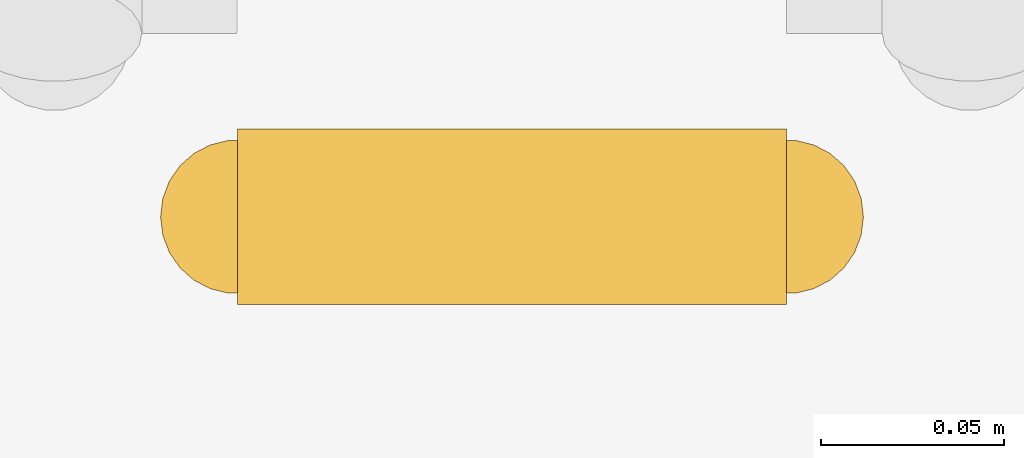
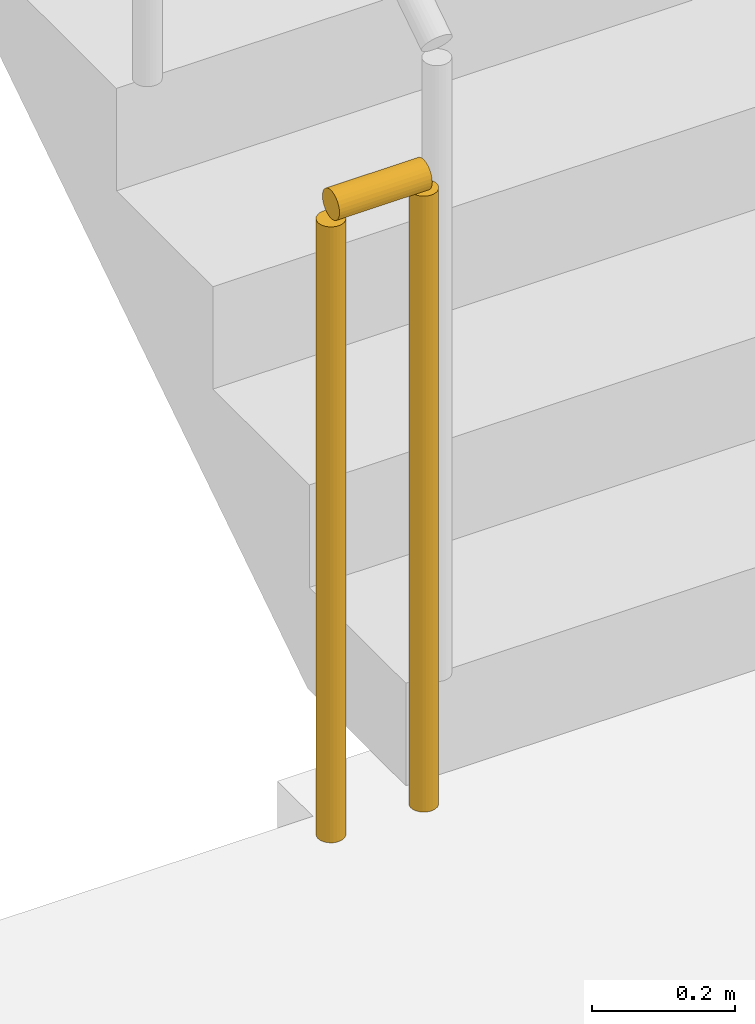
# One storey, part 15 of 20: 1 railing.
"""IFC4 building model written with IfcOpenShell, lengths in metres."""

from ifc_helpers import new_model, si_unit, direction, frame, origin, origin_2d, place, context, subcontext, project, spatial, circle, extrude, material, type_object, element, save


model = new_model("IFC4")

# Units and contexts
model_context = context("Model", 3, precision=1e-05, world=origin(), true_north=direction((0.0, 1.0)))
body_context = subcontext(model_context, "Body", "Model", "MODEL_VIEW")
ifc_project = project(units=[si_unit("LENGTHUNIT", "METRE"), si_unit("AREAUNIT", "SQUARE_METRE"), si_unit("VOLUMEUNIT", "CUBIC_METRE"), si_unit("PLANEANGLEUNIT", "RADIAN"), si_unit("MASSUNIT", "GRAM", prefix="KILO")], contexts=[model_context])

# Site, building, storey
site_placement = place(None, origin())
site = spatial("IfcSite", under=ifc_project, at=site_placement, CompositionType="ELEMENT")
building_placement = place(site_placement, origin())
building = spatial("IfcBuilding", under=site, at=building_placement, Name="Saffron Iwan Residences", CompositionType="ELEMENT")
storey_placement = place(building_placement, frame((0.0, 0.0, 167.5)))
storey = spatial("IfcBuildingStorey", under=building, at=storey_placement, Name="L44", CompositionType="ELEMENT", Elevation=167.5)

# Railing
ifc_material = material(Name="Steel S355", Category="steel")
railing_type = type_object("IfcRailingType", Name="Stair guard 1100", PredefinedType="GUARDRAIL", material=ifc_material)
railing_placement = place(storey_placement, frame((31.25, 67.800048828125, 0.0)))
element("IfcRailing", 1, at=railing_placement, inside=storey, type_object=railing_type, Name="L44 ST-W stair guard 2", PredefinedType="GUARDRAIL", context=body_context, shape_type="SweptSolid", body=[
    extrude(circle(Radius=0.02392578125, at=origin_2d()), frame((0.0, 0.0, 1.076171875), z_axis=(-1.0, 0.0, 0.0), x_axis=(0.0, -1.0, 0.0)), (0.0, 0.0, 1.0), 0.14990234375),
    extrude(circle(Radius=0.02099609375, at=origin_2d()), origin(), (0.0, 0.0, 1.0), 1.052001953125),
    extrude(circle(Radius=0.02099609375, at=origin_2d()), frame((-0.14990234375, 0.0, 0.0)), (0.0, 0.0, 1.0), 1.052001953125),
])

save(model, "model.ifc")
